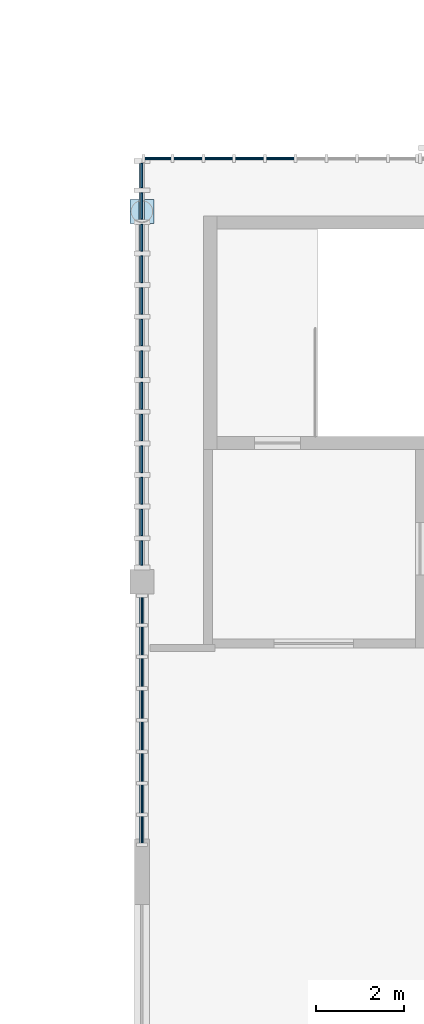
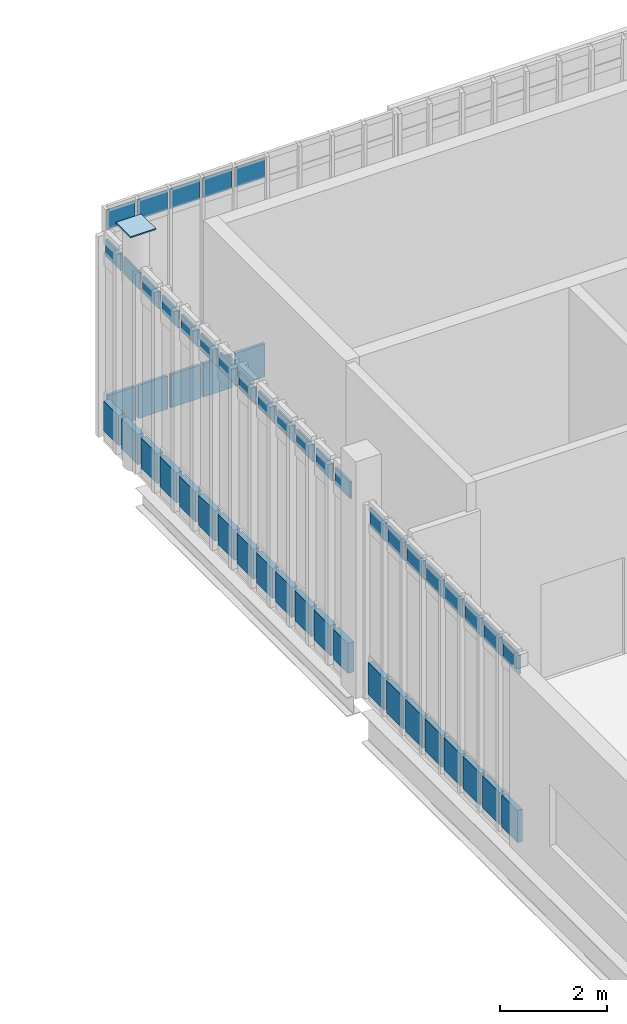
# One storey, part 102 of 135: 53 plates, 3 elements without a shape of their own.
"""IFC4 building model written with IfcOpenShell, lengths in metres."""

from ifc_helpers import new_model, si_unit, direction, frame, origin, origin_2d, place, context, subcontext, project, spatial, rectangle, extrude, material, layer, layer_set, type_object, element, aggregate, save


model = new_model("IFC4")

# Units and contexts
model_context = context("Model", 3, precision=1e-05, world=origin(), true_north=direction((0.0, 1.0)))
body_context = subcontext(model_context, "Body", "Model", "MODEL_VIEW")
ifc_project = project(units=[si_unit("LENGTHUNIT", "METRE"), si_unit("AREAUNIT", "SQUARE_METRE"), si_unit("VOLUMEUNIT", "CUBIC_METRE"), si_unit("PLANEANGLEUNIT", "RADIAN"), si_unit("MASSUNIT", "GRAM", prefix="KILO")], contexts=[model_context])

# Site, building, storey
site_placement = place(None, origin())
site = spatial("IfcSite", under=ifc_project, at=site_placement, CompositionType="ELEMENT")
building_placement = place(site_placement, origin())
building = spatial("IfcBuilding", under=site, at=building_placement, Name="Larkvane Passage Sports Hall", CompositionType="ELEMENT")
storey_placement = place(building_placement, frame((0.0, 0.0, 16.800048828125)))
storey = spatial("IfcBuildingStorey", under=building, at=storey_placement, Name="L03", CompositionType="ELEMENT", Elevation=16.800048828125)

# Curtain wall, plates
ifc_material_1 = material(Name="Thermally broken aluminium and low-E glazing", Category="aluminium")
curtain_wall_type_1 = type_object("IfcCurtainWallType", Name="CW-STICK-FOYER", PredefinedType="USERDEFINED", material=ifc_material_1)
curtain_wall_1_placement = place(storey_placement, origin())
curtain_wall_1 = element("IfcCurtainWall", 1, at=curtain_wall_1_placement, inside=storey, type_object=curtain_wall_type_1, Name="Curtain wall CW5-L03-102", ObjectType="STICK CURTAIN WALL", PredefinedType="USERDEFINED")
ifc_material_2 = material(Name="Fire-stopped shadow-box spandrel panel")
ifc_layer_1 = layer(ifc_material_2, 0.10498046875)
ifc_layer_set_1 = layer_set([ifc_layer_1], Name="Fire-stopped shadow-box spandrel panel")
plate_type_1 = type_object("IfcPlateType", Name="CWP-SPD-105", PredefinedType="CURTAIN_PANEL", material=ifc_layer_set_1)
plate_1_placement = place(storey_placement, frame((124.60009765625, 69.97802734375, 0.080078125), z_axis=(0.0, 0.0, 1.0), x_axis=(0.0, 1.0, 0.0)))
plate_1 = element("IfcPlate", 2, at=plate_1_placement, type_object=plate_type_1, Name="CW-03 panel 1.1", PredefinedType="CURTAIN_PANEL", context=body_context, shape_type="SweptSolid", body=[
    extrude(rectangle(XDim=0.59619140625, YDim=0.10498046875, at=origin_2d()), origin(), (0.0, 0.0, 1.0), 0.72998046875),
])
plate_2_placement = place(storey_placement, frame((124.60009765625, 70.674072265625, 0.080078125), z_axis=(0.0, 0.0, 1.0), x_axis=(0.0, 1.0, 0.0)))
plate_2 = element("IfcPlate", 3, at=plate_2_placement, type_object=plate_type_1, Name="CW-03 panel 2.1", PredefinedType="CURTAIN_PANEL", context=body_context, shape_type="SweptSolid", body=[
    extrude(rectangle(XDim=0.63623046875, YDim=0.10498046875, at=origin_2d()), origin(), (0.0, 0.0, 1.0), 0.72998046875),
])
plate_3_placement = place(storey_placement, frame((124.60009765625, 71.390380859375, 0.080078125), z_axis=(0.0, 0.0, 1.0), x_axis=(0.0, 1.0, 0.0)))
plate_3 = element("IfcPlate", 4, at=plate_3_placement, type_object=plate_type_1, Name="CW-03 panel 3.1", PredefinedType="CURTAIN_PANEL", context=body_context, shape_type="SweptSolid", body=[
    extrude(rectangle(XDim=0.63623046875, YDim=0.10498046875, at=origin_2d()), origin(), (0.0, 0.0, 1.0), 0.72998046875),
])
plate_4_placement = place(storey_placement, frame((124.60009765625, 72.1064453125, 0.080078125), z_axis=(0.0, 0.0, 1.0), x_axis=(0.0, 1.0, 0.0)))
plate_4 = element("IfcPlate", 5, at=plate_4_placement, type_object=plate_type_1, Name="CW-03 panel 4.1", PredefinedType="CURTAIN_PANEL", context=body_context, shape_type="SweptSolid", body=[
    extrude(rectangle(XDim=0.63623046875, YDim=0.10498046875, at=origin_2d()), origin(), (0.0, 0.0, 1.0), 0.72998046875),
])
plate_5_placement = place(storey_placement, frame((124.60009765625, 72.822509765625, 0.080078125), z_axis=(0.0, 0.0, 1.0), x_axis=(0.0, 1.0, 0.0)))
plate_5 = element("IfcPlate", 6, at=plate_5_placement, type_object=plate_type_1, Name="CW-03 panel 5.1", PredefinedType="CURTAIN_PANEL", context=body_context, shape_type="SweptSolid", body=[
    extrude(rectangle(XDim=0.63623046875, YDim=0.10498046875, at=origin_2d()), origin(), (0.0, 0.0, 1.0), 0.72998046875),
])
plate_6_placement = place(storey_placement, frame((124.60009765625, 73.53857421875, 0.080078125), z_axis=(0.0, 0.0, 1.0), x_axis=(0.0, 1.0, 0.0)))
plate_6 = element("IfcPlate", 7, at=plate_6_placement, type_object=plate_type_1, Name="CW-03 panel 6.1", PredefinedType="CURTAIN_PANEL", context=body_context, shape_type="SweptSolid", body=[
    extrude(rectangle(XDim=0.63623046875, YDim=0.10498046875, at=origin_2d()), origin(), (0.0, 0.0, 1.0), 0.72998046875),
])
plate_7_placement = place(storey_placement, frame((124.60009765625, 74.2548828125, 0.080078125), z_axis=(0.0, 0.0, 1.0), x_axis=(0.0, 1.0, 0.0)))
plate_7 = element("IfcPlate", 8, at=plate_7_placement, type_object=plate_type_1, Name="CW-03 panel 7.1", PredefinedType="CURTAIN_PANEL", context=body_context, shape_type="SweptSolid", body=[
    extrude(rectangle(XDim=0.63623046875, YDim=0.10498046875, at=origin_2d()), origin(), (0.0, 0.0, 1.0), 0.72998046875),
])
plate_8_placement = place(storey_placement, frame((124.60009765625, 74.950927734375, 0.080078125), z_axis=(0.0, 0.0, 1.0), x_axis=(0.0, 1.0, 0.0)))
plate_8 = element("IfcPlate", 9, at=plate_8_placement, type_object=plate_type_1, Name="CW-03 panel 8.1", PredefinedType="CURTAIN_PANEL", context=body_context, shape_type="SweptSolid", body=[
    extrude(rectangle(XDim=0.59619140625, YDim=0.10498046875, at=origin_2d()), origin(), (0.0, 0.0, 1.0), 0.72998046875),
])

curtain_wall_type_2 = type_object("IfcCurtainWallType", Name="CW-CLINIC", PredefinedType="USERDEFINED", material=ifc_material_1)
curtain_wall_2_placement = place(storey_placement, origin())
curtain_wall_2 = element("IfcCurtainWall", 10, at=curtain_wall_2_placement, inside=storey, type_object=curtain_wall_type_2, Name="Curtain wall CW5-L03-103", ObjectType="UNITISED CURTAIN WALL", PredefinedType="USERDEFINED")
ifc_material_3 = material(Name="Deep insulated facade spandrel panel")
ifc_layer_2 = layer(ifc_material_3, 0.125)
ifc_layer_set_2 = layer_set([ifc_layer_2], Name="Deep insulated facade spandrel panel")
plate_type_2 = type_object("IfcPlateType", Name="CWP-SPD-125", PredefinedType="CURTAIN_PANEL", material=ifc_layer_set_2)
plate_9_placement = place(storey_placement, frame((124.60009765625, 76.25732421875, 0.10986328125), z_axis=(0.0, 0.0, 1.0), x_axis=(0.0, 1.0, 0.0)))
plate_9 = element("IfcPlate", 11, at=plate_9_placement, type_object=plate_type_2, Name="CW-05 panel 1.1", PredefinedType="CURTAIN_PANEL", context=body_context, shape_type="SweptSolid", body=[
    extrude(rectangle(XDim=0.552734375, YDim=0.125, at=origin_2d()), origin(), (0.0, 0.0, 1.0), 0.68505859375),
])
plate_10_placement = place(storey_placement, frame((124.60009765625, 76.947509765625, 0.10986328125), z_axis=(0.0, 0.0, 1.0), x_axis=(0.0, 1.0, 0.0)))
plate_10 = element("IfcPlate", 12, at=plate_10_placement, type_object=plate_type_2, Name="CW-05 panel 2.1", PredefinedType="CURTAIN_PANEL", context=body_context, shape_type="SweptSolid", body=[
    extrude(rectangle(XDim=0.607666015625, YDim=0.125, at=origin_2d()), origin(), (0.0, 0.0, 1.0), 0.68505859375),
])
plate_11_placement = place(storey_placement, frame((124.60009765625, 77.6650390625, 0.10986328125), z_axis=(0.0, 0.0, 1.0), x_axis=(0.0, 1.0, 0.0)))
plate_11 = element("IfcPlate", 13, at=plate_11_placement, type_object=plate_type_2, Name="CW-05 panel 3.1", PredefinedType="CURTAIN_PANEL", context=body_context, shape_type="SweptSolid", body=[
    extrude(rectangle(XDim=0.607666015625, YDim=0.125, at=origin_2d()), origin(), (0.0, 0.0, 1.0), 0.68505859375),
])
plate_12_placement = place(storey_placement, frame((124.60009765625, 78.382568359375, 0.10986328125), z_axis=(0.0, 0.0, 1.0), x_axis=(0.0, 1.0, 0.0)))
plate_12 = element("IfcPlate", 14, at=plate_12_placement, type_object=plate_type_2, Name="CW-05 panel 4.1", PredefinedType="CURTAIN_PANEL", context=body_context, shape_type="SweptSolid", body=[
    extrude(rectangle(XDim=0.607666015625, YDim=0.125, at=origin_2d()), origin(), (0.0, 0.0, 1.0), 0.68505859375),
])
plate_13_placement = place(storey_placement, frame((124.60009765625, 79.100341796875, 0.10986328125), z_axis=(0.0, 0.0, 1.0), x_axis=(0.0, 1.0, 0.0)))
plate_13 = element("IfcPlate", 15, at=plate_13_placement, type_object=plate_type_2, Name="CW-05 panel 5.1", PredefinedType="CURTAIN_PANEL", context=body_context, shape_type="SweptSolid", body=[
    extrude(rectangle(XDim=0.607666015625, YDim=0.125, at=origin_2d()), origin(), (0.0, 0.0, 1.0), 0.68505859375),
])
plate_14_placement = place(storey_placement, frame((124.60009765625, 79.81787109375, 0.10986328125), z_axis=(0.0, 0.0, 1.0), x_axis=(0.0, 1.0, 0.0)))
plate_14 = element("IfcPlate", 16, at=plate_14_placement, type_object=plate_type_2, Name="CW-05 panel 6.1", PredefinedType="CURTAIN_PANEL", context=body_context, shape_type="SweptSolid", body=[
    extrude(rectangle(XDim=0.607666015625, YDim=0.125, at=origin_2d()), origin(), (0.0, 0.0, 1.0), 0.68505859375),
])
plate_15_placement = place(storey_placement, frame((124.60009765625, 80.535400390625, 0.10986328125), z_axis=(0.0, 0.0, 1.0), x_axis=(0.0, 1.0, 0.0)))
plate_15 = element("IfcPlate", 17, at=plate_15_placement, type_object=plate_type_2, Name="CW-05 panel 7.1", PredefinedType="CURTAIN_PANEL", context=body_context, shape_type="SweptSolid", body=[
    extrude(rectangle(XDim=0.607666015625, YDim=0.125, at=origin_2d()), origin(), (0.0, 0.0, 1.0), 0.68505859375),
])
plate_16_placement = place(storey_placement, frame((124.60009765625, 81.253173828125, 0.10986328125), z_axis=(0.0, 0.0, 1.0), x_axis=(0.0, 1.0, 0.0)))
plate_16 = element("IfcPlate", 18, at=plate_16_placement, type_object=plate_type_2, Name="CW-05 panel 8.1", PredefinedType="CURTAIN_PANEL", context=body_context, shape_type="SweptSolid", body=[
    extrude(rectangle(XDim=0.607666015625, YDim=0.125, at=origin_2d()), origin(), (0.0, 0.0, 1.0), 0.68505859375),
])
plate_17_placement = place(storey_placement, frame((124.60009765625, 81.970703125, 0.10986328125), z_axis=(0.0, 0.0, 1.0), x_axis=(0.0, 1.0, 0.0)))
plate_17 = element("IfcPlate", 19, at=plate_17_placement, type_object=plate_type_2, Name="CW-05 panel 9.1", PredefinedType="CURTAIN_PANEL", context=body_context, shape_type="SweptSolid", body=[
    extrude(rectangle(XDim=0.607666015625, YDim=0.125, at=origin_2d()), origin(), (0.0, 0.0, 1.0), 0.68505859375),
])
plate_18_placement = place(storey_placement, frame((124.60009765625, 82.688232421875, 0.10986328125), z_axis=(0.0, 0.0, 1.0), x_axis=(0.0, 1.0, 0.0)))
plate_18 = element("IfcPlate", 20, at=plate_18_placement, type_object=plate_type_2, Name="CW-05 panel 10.1", PredefinedType="CURTAIN_PANEL", context=body_context, shape_type="SweptSolid", body=[
    extrude(rectangle(XDim=0.607666015625, YDim=0.125, at=origin_2d()), origin(), (0.0, 0.0, 1.0), 0.68505859375),
])
plate_19_placement = place(storey_placement, frame((124.60009765625, 83.406005859375, 0.10986328125), z_axis=(0.0, 0.0, 1.0), x_axis=(0.0, 1.0, 0.0)))
plate_19 = element("IfcPlate", 21, at=plate_19_placement, type_object=plate_type_2, Name="CW-05 panel 11.1", PredefinedType="CURTAIN_PANEL", context=body_context, shape_type="SweptSolid", body=[
    extrude(rectangle(XDim=0.607666015625, YDim=0.125, at=origin_2d()), origin(), (0.0, 0.0, 1.0), 0.68505859375),
])
plate_20_placement = place(storey_placement, frame((124.60009765625, 84.12353515625, 0.10986328125), z_axis=(0.0, 0.0, 1.0), x_axis=(0.0, 1.0, 0.0)))
plate_20 = element("IfcPlate", 22, at=plate_20_placement, type_object=plate_type_2, Name="CW-05 panel 12.1", PredefinedType="CURTAIN_PANEL", context=body_context, shape_type="SweptSolid", body=[
    extrude(rectangle(XDim=0.607666015625, YDim=0.125, at=origin_2d()), origin(), (0.0, 0.0, 1.0), 0.68505859375),
])
plate_21_placement = place(storey_placement, frame((124.60009765625, 84.813720703125, 0.10986328125), z_axis=(0.0, 0.0, 1.0), x_axis=(0.0, 1.0, 0.0)))
plate_21 = element("IfcPlate", 23, at=plate_21_placement, type_object=plate_type_2, Name="CW-05 panel 13.1", PredefinedType="CURTAIN_PANEL", context=body_context, shape_type="SweptSolid", body=[
    extrude(rectangle(XDim=0.552734375, YDim=0.125, at=origin_2d()), origin(), (0.0, 0.0, 1.0), 0.68505859375),
])

curtain_wall_type_3 = type_object("IfcCurtainWallType", Name="CW-UNIT-COURT", PredefinedType="USERDEFINED", material=ifc_material_1)
curtain_wall_3_placement = place(storey_placement, origin())
curtain_wall_3 = element("IfcCurtainWall", 24, at=curtain_wall_3_placement, inside=storey, type_object=curtain_wall_type_3, Name="Curtain wall CW5-L03-104", ObjectType="UNITISED CURTAIN WALL", PredefinedType="USERDEFINED")
ifc_material_4 = material(Name="Insulated aluminium spandrel panel", Category="aluminium")
ifc_layer_3 = layer(ifc_material_4, 0.06494140625)
ifc_layer_set_3 = layer_set([ifc_layer_3], Name="Insulated aluminium spandrel panel")
plate_type_3 = type_object("IfcPlateType", Name="CWP-SPD-65", PredefinedType="CURTAIN_PANEL", material=ifc_layer_set_3)
plate_22_placement = place(storey_placement, frame((124.96484375, 85.199951171875, 0.06494140625), z_axis=(0.0, 0.0, 1.0), x_axis=(1.0, 0.0, 0.0)))
plate_22 = element("IfcPlate", 25, at=plate_22_placement, type_object=plate_type_3, Name="CW-01 panel 1.1", PredefinedType="CURTAIN_PANEL", context=body_context, shape_type="SweptSolid", body=[
    extrude(rectangle(XDim=0.599609375, YDim=0.06494140625, at=origin_2d()), origin(), (0.0, 0.0, 1.0), 0.75244140625),
])
plate_23_placement = place(storey_placement, frame((125.645751953125, 85.199951171875, 0.06494140625), z_axis=(0.0, 0.0, 1.0), x_axis=(1.0, 0.0, 0.0)))
plate_23 = element("IfcPlate", 26, at=plate_23_placement, type_object=plate_type_3, Name="CW-01 panel 2.1", PredefinedType="CURTAIN_PANEL", context=body_context, shape_type="SweptSolid", body=[
    extrude(rectangle(XDim=0.63232421875, YDim=0.06494140625, at=origin_2d()), origin(), (0.0, 0.0, 1.0), 0.75244140625),
])
plate_24_placement = place(storey_placement, frame((126.343017578125, 85.199951171875, 0.06494140625), z_axis=(0.0, 0.0, 1.0), x_axis=(1.0, 0.0, 0.0)))
plate_24 = element("IfcPlate", 27, at=plate_24_placement, type_object=plate_type_3, Name="CW-01 panel 3.1", PredefinedType="CURTAIN_PANEL", context=body_context, shape_type="SweptSolid", body=[
    extrude(rectangle(XDim=0.63232421875, YDim=0.06494140625, at=origin_2d()), origin(), (0.0, 0.0, 1.0), 0.75244140625),
])
plate_25_placement = place(storey_placement, frame((127.040283203125, 85.199951171875, 0.06494140625), z_axis=(0.0, 0.0, 1.0), x_axis=(1.0, 0.0, 0.0)))
plate_25 = element("IfcPlate", 28, at=plate_25_placement, type_object=plate_type_3, Name="CW-01 panel 4.1", PredefinedType="CURTAIN_PANEL", context=body_context, shape_type="SweptSolid", body=[
    extrude(rectangle(XDim=0.63232421875, YDim=0.06494140625, at=origin_2d()), origin(), (0.0, 0.0, 1.0), 0.75244140625),
])
plate_26_placement = place(storey_placement, frame((127.737548828125, 85.199951171875, 0.06494140625), z_axis=(0.0, 0.0, 1.0), x_axis=(1.0, 0.0, 0.0)))
plate_26 = element("IfcPlate", 29, at=plate_26_placement, type_object=plate_type_3, Name="CW-01 panel 5.1", PredefinedType="CURTAIN_PANEL", context=body_context, shape_type="SweptSolid", body=[
    extrude(rectangle(XDim=0.63232421875, YDim=0.06494140625, at=origin_2d()), origin(), (0.0, 0.0, 1.0), 0.75244140625),
])
ifc_material_5 = material(Name="Solar-control low-E double glazing", Category="glass")
ifc_layer_4 = layer(ifc_material_5, 0.028076171875)
ifc_layer_set_4 = layer_set([ifc_layer_4], Name="Solar-control low-E double glazing")
plate_type_4 = type_object("IfcPlateType", Name="CWP-VIS-28", PredefinedType="CURTAIN_PANEL", material=ifc_layer_set_4)
plate_27_placement = place(storey_placement, frame((124.96484375, 85.199951171875, 4.58251953125), z_axis=(0.0, 0.0, 1.0), x_axis=(1.0, 0.0, 0.0)))
plate_27 = element("IfcPlate", 30, at=plate_27_placement, type_object=plate_type_4, Name="CW-01 panel 1.3", PredefinedType="CURTAIN_PANEL", context=body_context, shape_type="SweptSolid", body=[
    extrude(rectangle(XDim=0.599609375, YDim=0.028076171875, at=origin_2d()), origin(), (0.0, 0.0, 1.0), 0.452392578125),
])
plate_28_placement = place(storey_placement, frame((125.645751953125, 85.199951171875, 4.58251953125), z_axis=(0.0, 0.0, 1.0), x_axis=(1.0, 0.0, 0.0)))
plate_28 = element("IfcPlate", 31, at=plate_28_placement, type_object=plate_type_4, Name="CW-01 panel 2.3", PredefinedType="CURTAIN_PANEL", context=body_context, shape_type="SweptSolid", body=[
    extrude(rectangle(XDim=0.63232421875, YDim=0.028076171875, at=origin_2d()), origin(), (0.0, 0.0, 1.0), 0.452392578125),
])
plate_29_placement = place(storey_placement, frame((126.343017578125, 85.199951171875, 4.58251953125), z_axis=(0.0, 0.0, 1.0), x_axis=(1.0, 0.0, 0.0)))
plate_29 = element("IfcPlate", 32, at=plate_29_placement, type_object=plate_type_4, Name="CW-01 panel 3.3", PredefinedType="CURTAIN_PANEL", context=body_context, shape_type="SweptSolid", body=[
    extrude(rectangle(XDim=0.63232421875, YDim=0.028076171875, at=origin_2d()), origin(), (0.0, 0.0, 1.0), 0.452392578125),
])
plate_30_placement = place(storey_placement, frame((127.040283203125, 85.199951171875, 4.58251953125), z_axis=(0.0, 0.0, 1.0), x_axis=(1.0, 0.0, 0.0)))
plate_30 = element("IfcPlate", 33, at=plate_30_placement, type_object=plate_type_4, Name="CW-01 panel 4.3", PredefinedType="CURTAIN_PANEL", context=body_context, shape_type="SweptSolid", body=[
    extrude(rectangle(XDim=0.63232421875, YDim=0.028076171875, at=origin_2d()), origin(), (0.0, 0.0, 1.0), 0.452392578125),
])
plate_31_placement = place(storey_placement, frame((127.737548828125, 85.199951171875, 4.58251953125), z_axis=(0.0, 0.0, 1.0), x_axis=(1.0, 0.0, 0.0)))
plate_31 = element("IfcPlate", 34, at=plate_31_placement, type_object=plate_type_4, Name="CW-01 panel 5.3", PredefinedType="CURTAIN_PANEL", context=body_context, shape_type="SweptSolid", body=[
    extrude(rectangle(XDim=0.63232421875, YDim=0.028076171875, at=origin_2d()), origin(), (0.0, 0.0, 1.0), 0.452392578125),
])
aggregate(curtain_wall_3, [plate_22, plate_27, plate_23, plate_28, plate_24, plate_29, plate_25, plate_30, plate_26, plate_31])

# Plate
ifc_material_6 = material(Name="High-impact court low-E glazing", Category="glass")
ifc_layer_5 = layer(ifc_material_6, 0.035888671875)
ifc_layer_set_5 = layer_set([ifc_layer_5], Name="High-impact court low-E glazing")
plate_type_5 = type_object("IfcPlateType", Name="CWP-VIS-36", PredefinedType="CURTAIN_PANEL", material=ifc_layer_set_5)
plate_32_placement = place(storey_placement, frame((124.60009765625, 69.97802734375, 3.89794921875), z_axis=(0.0, 0.0, 1.0), x_axis=(0.0, 1.0, 0.0)))
plate_32 = element("IfcPlate", 35, at=plate_32_placement, type_object=plate_type_5, Name="CW-03 panel 1.3", PredefinedType="CURTAIN_PANEL", context=body_context, shape_type="SweptSolid", body=[
    extrude(rectangle(XDim=0.59619140625, YDim=0.035888671875, at=origin_2d()), origin(), (0.0, 0.0, 1.0), 0.429931640625),
])

plate_33_placement = place(storey_placement, frame((124.60009765625, 70.674072265625, 3.89794921875), z_axis=(0.0, 0.0, 1.0), x_axis=(0.0, 1.0, 0.0)))
plate_33 = element("IfcPlate", 36, at=plate_33_placement, type_object=plate_type_5, Name="CW-03 panel 2.3", PredefinedType="CURTAIN_PANEL", context=body_context, shape_type="SweptSolid", body=[
    extrude(rectangle(XDim=0.63623046875, YDim=0.035888671875, at=origin_2d()), origin(), (0.0, 0.0, 1.0), 0.429931640625),
])

plate_34_placement = place(storey_placement, frame((124.60009765625, 71.390380859375, 3.89794921875), z_axis=(0.0, 0.0, 1.0), x_axis=(0.0, 1.0, 0.0)))
plate_34 = element("IfcPlate", 37, at=plate_34_placement, type_object=plate_type_5, Name="CW-03 panel 3.3", PredefinedType="CURTAIN_PANEL", context=body_context, shape_type="SweptSolid", body=[
    extrude(rectangle(XDim=0.63623046875, YDim=0.035888671875, at=origin_2d()), origin(), (0.0, 0.0, 1.0), 0.429931640625),
])

plate_35_placement = place(storey_placement, frame((124.60009765625, 72.1064453125, 3.89794921875), z_axis=(0.0, 0.0, 1.0), x_axis=(0.0, 1.0, 0.0)))
plate_35 = element("IfcPlate", 38, at=plate_35_placement, type_object=plate_type_5, Name="CW-03 panel 4.3", PredefinedType="CURTAIN_PANEL", context=body_context, shape_type="SweptSolid", body=[
    extrude(rectangle(XDim=0.63623046875, YDim=0.035888671875, at=origin_2d()), origin(), (0.0, 0.0, 1.0), 0.429931640625),
])

plate_36_placement = place(storey_placement, frame((124.60009765625, 72.822509765625, 3.89794921875), z_axis=(0.0, 0.0, 1.0), x_axis=(0.0, 1.0, 0.0)))
plate_36 = element("IfcPlate", 39, at=plate_36_placement, type_object=plate_type_5, Name="CW-03 panel 5.3", PredefinedType="CURTAIN_PANEL", context=body_context, shape_type="SweptSolid", body=[
    extrude(rectangle(XDim=0.63623046875, YDim=0.035888671875, at=origin_2d()), origin(), (0.0, 0.0, 1.0), 0.429931640625),
])

plate_37_placement = place(storey_placement, frame((124.60009765625, 73.53857421875, 3.89794921875), z_axis=(0.0, 0.0, 1.0), x_axis=(0.0, 1.0, 0.0)))
plate_37 = element("IfcPlate", 40, at=plate_37_placement, type_object=plate_type_5, Name="CW-03 panel 6.3", PredefinedType="CURTAIN_PANEL", context=body_context, shape_type="SweptSolid", body=[
    extrude(rectangle(XDim=0.63623046875, YDim=0.035888671875, at=origin_2d()), origin(), (0.0, 0.0, 1.0), 0.429931640625),
])

plate_38_placement = place(storey_placement, frame((124.60009765625, 74.2548828125, 3.89794921875), z_axis=(0.0, 0.0, 1.0), x_axis=(0.0, 1.0, 0.0)))
plate_38 = element("IfcPlate", 41, at=plate_38_placement, type_object=plate_type_5, Name="CW-03 panel 7.3", PredefinedType="CURTAIN_PANEL", context=body_context, shape_type="SweptSolid", body=[
    extrude(rectangle(XDim=0.63623046875, YDim=0.035888671875, at=origin_2d()), origin(), (0.0, 0.0, 1.0), 0.429931640625),
])

plate_39_placement = place(storey_placement, frame((124.60009765625, 74.950927734375, 3.89794921875), z_axis=(0.0, 0.0, 1.0), x_axis=(0.0, 1.0, 0.0)))
plate_39 = element("IfcPlate", 42, at=plate_39_placement, type_object=plate_type_5, Name="CW-03 panel 8.3", PredefinedType="CURTAIN_PANEL", context=body_context, shape_type="SweptSolid", body=[
    extrude(rectangle(XDim=0.59619140625, YDim=0.035888671875, at=origin_2d()), origin(), (0.0, 0.0, 1.0), 0.429931640625),
])

aggregate(curtain_wall_1, [plate_1, plate_32, plate_2, plate_33, plate_3, plate_34, plate_4, plate_35, plate_5, plate_36, plate_6, plate_37, plate_7, plate_38, plate_8, plate_39])

ifc_material_7 = material(Name="Triple-laminated typhoon glazing", Category="glass")
ifc_layer_6 = layer(ifc_material_7, 0.0419921875)
ifc_layer_set_6 = layer_set([ifc_layer_6], Name="Triple-laminated typhoon glazing")
plate_type_6 = type_object("IfcPlateType", Name="CWP-VIS-42", PredefinedType="CURTAIN_PANEL", material=ifc_layer_set_6)
plate_40_placement = place(storey_placement, frame((124.60009765625, 76.25732421875, 4.07275390625), z_axis=(0.0, 0.0, 1.0), x_axis=(0.0, 1.0, 0.0)))
plate_40 = element("IfcPlate", 43, at=plate_40_placement, type_object=plate_type_6, Name="CW-05 panel 1.3", PredefinedType="CURTAIN_PANEL", context=body_context, shape_type="SweptSolid", body=[
    extrude(rectangle(XDim=0.552734375, YDim=0.0419921875, at=origin_2d()), origin(), (0.0, 0.0, 1.0), 0.385009765625),
])

plate_41_placement = place(storey_placement, frame((124.60009765625, 76.947509765625, 4.07275390625), z_axis=(0.0, 0.0, 1.0), x_axis=(0.0, 1.0, 0.0)))
plate_41 = element("IfcPlate", 44, at=plate_41_placement, type_object=plate_type_6, Name="CW-05 panel 2.3", PredefinedType="CURTAIN_PANEL", context=body_context, shape_type="SweptSolid", body=[
    extrude(rectangle(XDim=0.607666015625, YDim=0.0419921875, at=origin_2d()), origin(), (0.0, 0.0, 1.0), 0.385009765625),
])

plate_42_placement = place(storey_placement, frame((124.60009765625, 77.6650390625, 4.07275390625), z_axis=(0.0, 0.0, 1.0), x_axis=(0.0, 1.0, 0.0)))
plate_42 = element("IfcPlate", 45, at=plate_42_placement, type_object=plate_type_6, Name="CW-05 panel 3.3", PredefinedType="CURTAIN_PANEL", context=body_context, shape_type="SweptSolid", body=[
    extrude(rectangle(XDim=0.607666015625, YDim=0.0419921875, at=origin_2d()), origin(), (0.0, 0.0, 1.0), 0.385009765625),
])

plate_43_placement = place(storey_placement, frame((124.60009765625, 78.382568359375, 4.07275390625), z_axis=(0.0, 0.0, 1.0), x_axis=(0.0, 1.0, 0.0)))
plate_43 = element("IfcPlate", 46, at=plate_43_placement, type_object=plate_type_6, Name="CW-05 panel 4.3", PredefinedType="CURTAIN_PANEL", context=body_context, shape_type="SweptSolid", body=[
    extrude(rectangle(XDim=0.607666015625, YDim=0.0419921875, at=origin_2d()), origin(), (0.0, 0.0, 1.0), 0.385009765625),
])

plate_44_placement = place(storey_placement, frame((124.60009765625, 79.100341796875, 4.07275390625), z_axis=(0.0, 0.0, 1.0), x_axis=(0.0, 1.0, 0.0)))
plate_44 = element("IfcPlate", 47, at=plate_44_placement, type_object=plate_type_6, Name="CW-05 panel 5.3", PredefinedType="CURTAIN_PANEL", context=body_context, shape_type="SweptSolid", body=[
    extrude(rectangle(XDim=0.607666015625, YDim=0.0419921875, at=origin_2d()), origin(), (0.0, 0.0, 1.0), 0.385009765625),
])

plate_45_placement = place(storey_placement, frame((124.60009765625, 79.81787109375, 4.07275390625), z_axis=(0.0, 0.0, 1.0), x_axis=(0.0, 1.0, 0.0)))
plate_45 = element("IfcPlate", 48, at=plate_45_placement, type_object=plate_type_6, Name="CW-05 panel 6.3", PredefinedType="CURTAIN_PANEL", context=body_context, shape_type="SweptSolid", body=[
    extrude(rectangle(XDim=0.607666015625, YDim=0.0419921875, at=origin_2d()), origin(), (0.0, 0.0, 1.0), 0.385009765625),
])

plate_46_placement = place(storey_placement, frame((124.60009765625, 80.535400390625, 4.07275390625), z_axis=(0.0, 0.0, 1.0), x_axis=(0.0, 1.0, 0.0)))
plate_46 = element("IfcPlate", 49, at=plate_46_placement, type_object=plate_type_6, Name="CW-05 panel 7.3", PredefinedType="CURTAIN_PANEL", context=body_context, shape_type="SweptSolid", body=[
    extrude(rectangle(XDim=0.607666015625, YDim=0.0419921875, at=origin_2d()), origin(), (0.0, 0.0, 1.0), 0.385009765625),
])

plate_47_placement = place(storey_placement, frame((124.60009765625, 81.253173828125, 4.07275390625), z_axis=(0.0, 0.0, 1.0), x_axis=(0.0, 1.0, 0.0)))
plate_47 = element("IfcPlate", 50, at=plate_47_placement, type_object=plate_type_6, Name="CW-05 panel 8.3", PredefinedType="CURTAIN_PANEL", context=body_context, shape_type="SweptSolid", body=[
    extrude(rectangle(XDim=0.607666015625, YDim=0.0419921875, at=origin_2d()), origin(), (0.0, 0.0, 1.0), 0.385009765625),
])

plate_48_placement = place(storey_placement, frame((124.60009765625, 81.970703125, 4.07275390625), z_axis=(0.0, 0.0, 1.0), x_axis=(0.0, 1.0, 0.0)))
plate_48 = element("IfcPlate", 51, at=plate_48_placement, type_object=plate_type_6, Name="CW-05 panel 9.3", PredefinedType="CURTAIN_PANEL", context=body_context, shape_type="SweptSolid", body=[
    extrude(rectangle(XDim=0.607666015625, YDim=0.0419921875, at=origin_2d()), origin(), (0.0, 0.0, 1.0), 0.385009765625),
])

plate_49_placement = place(storey_placement, frame((124.60009765625, 82.688232421875, 4.07275390625), z_axis=(0.0, 0.0, 1.0), x_axis=(0.0, 1.0, 0.0)))
plate_49 = element("IfcPlate", 52, at=plate_49_placement, type_object=plate_type_6, Name="CW-05 panel 10.3", PredefinedType="CURTAIN_PANEL", context=body_context, shape_type="SweptSolid", body=[
    extrude(rectangle(XDim=0.607666015625, YDim=0.0419921875, at=origin_2d()), origin(), (0.0, 0.0, 1.0), 0.385009765625),
])

plate_50_placement = place(storey_placement, frame((124.60009765625, 83.406005859375, 4.07275390625), z_axis=(0.0, 0.0, 1.0), x_axis=(0.0, 1.0, 0.0)))
plate_50 = element("IfcPlate", 53, at=plate_50_placement, type_object=plate_type_6, Name="CW-05 panel 11.3", PredefinedType="CURTAIN_PANEL", context=body_context, shape_type="SweptSolid", body=[
    extrude(rectangle(XDim=0.607666015625, YDim=0.0419921875, at=origin_2d()), origin(), (0.0, 0.0, 1.0), 0.385009765625),
])

plate_51_placement = place(storey_placement, frame((124.60009765625, 84.12353515625, 4.07275390625), z_axis=(0.0, 0.0, 1.0), x_axis=(0.0, 1.0, 0.0)))
plate_51 = element("IfcPlate", 54, at=plate_51_placement, type_object=plate_type_6, Name="CW-05 panel 12.3", PredefinedType="CURTAIN_PANEL", context=body_context, shape_type="SweptSolid", body=[
    extrude(rectangle(XDim=0.607666015625, YDim=0.0419921875, at=origin_2d()), origin(), (0.0, 0.0, 1.0), 0.385009765625),
])

plate_52_placement = place(storey_placement, frame((124.60009765625, 84.813720703125, 4.07275390625), z_axis=(0.0, 0.0, 1.0), x_axis=(0.0, 1.0, 0.0)))
plate_52 = element("IfcPlate", 55, at=plate_52_placement, type_object=plate_type_6, Name="CW-05 panel 13.3", PredefinedType="CURTAIN_PANEL", context=body_context, shape_type="SweptSolid", body=[
    extrude(rectangle(XDim=0.552734375, YDim=0.0419921875, at=origin_2d()), origin(), (0.0, 0.0, 1.0), 0.385009765625),
])

aggregate(curtain_wall_2, [plate_9, plate_40, plate_10, plate_41, plate_11, plate_42, plate_12, plate_43, plate_13, plate_44, plate_14, plate_45, plate_15, plate_46, plate_16, plate_47, plate_17, plate_48, plate_18, plate_49, plate_19, plate_50, plate_20, plate_51, plate_21, plate_52])

ifc_material_8 = material(Name="Steel S460N", Category="steel")
ifc_layer_7 = layer(ifc_material_8, 0.028076171875)
ifc_layer_set_7 = layer_set([ifc_layer_7], Name="Steel S460N")
plate_type_7 = type_object("IfcPlateType", Name="PLT-CAP-28", PredefinedType="SHEET", material=ifc_layer_set_7)
plate_53_placement = place(storey_placement, frame((124.60009765625, 84.0, 5.39990234375), z_axis=(0.0, 0.0, 1.0), x_axis=(1.0, 0.0, 0.0)))
element("IfcPlate", 56, at=plate_53_placement, inside=storey, type_object=plate_type_7, Name="Hollow section sealed end cap plate 0026", PredefinedType="SHEET", context=body_context, shape_type="SweptSolid", body=[
    extrude(rectangle(XDim=0.548095703125, YDim=0.548095703125, at=origin_2d()), origin(), (0.0, 0.0, 1.0), 0.028076171875),
])

save(model, "model.ifc")
